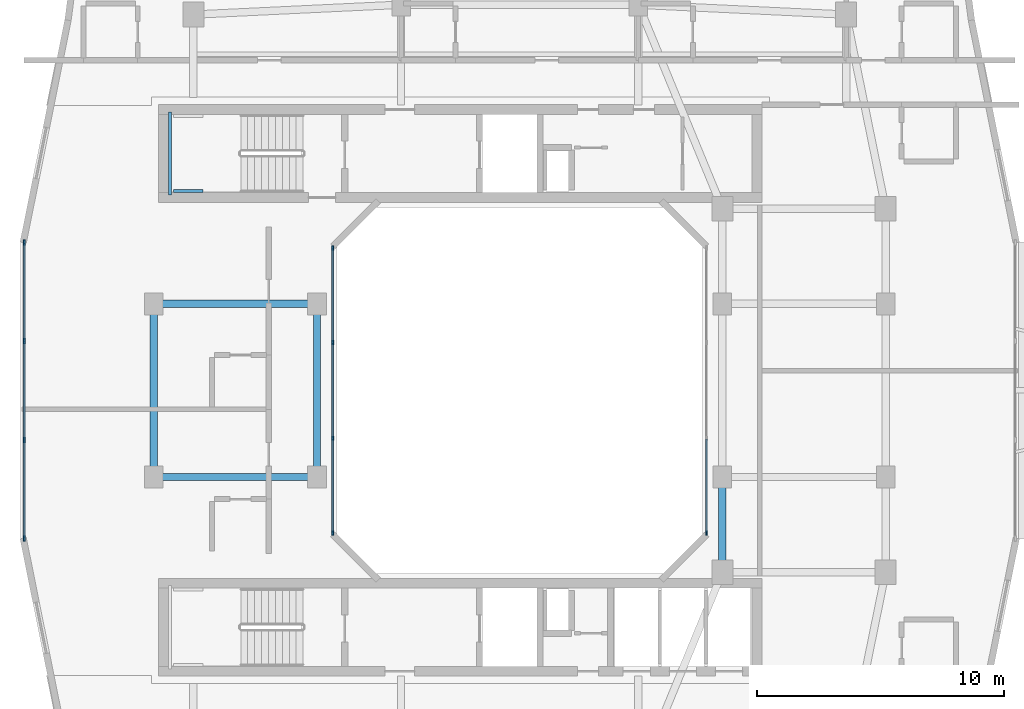
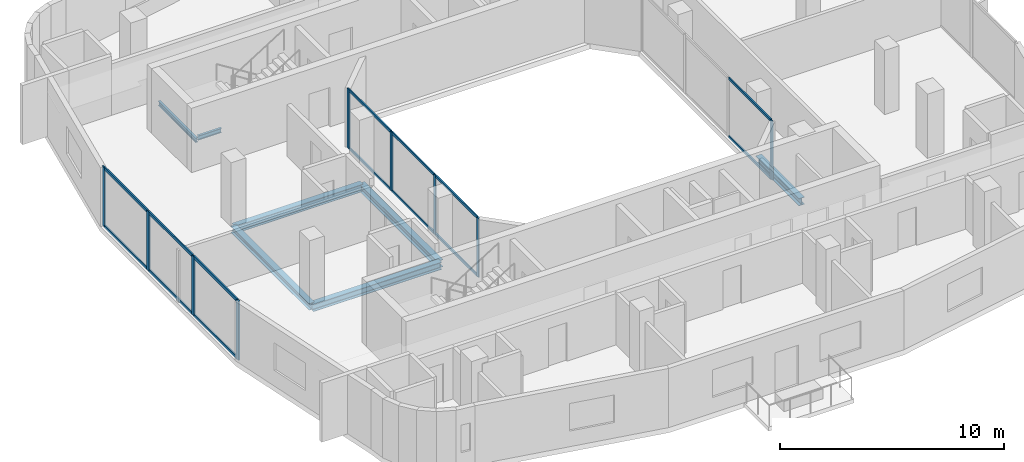
# One storey, part 2 of 13: 23 members, 7 beams, 3 elements without a shape of their own.
"""IFC4 building model written with IfcOpenShell, lengths in metres."""

from ifc_helpers import new_model, si_unit, derived_unit, direction, frame, origin, origin_2d, place, context, subcontext, project, spatial, rectangle, i_section, extrude, material, layer, layer_set, material_profile, profile_set, type_object, element, aggregate, save


model = new_model("IFC4")

# Units and contexts
model_context = context("Model", 3, precision=1e-05, world=origin(), true_north=direction((0.0, 1.0)))
body_context = subcontext(model_context, "Body", "Model", "MODEL_VIEW")
ifc_project = project(units=[si_unit("LENGTHUNIT", "METRE"), si_unit("AREAUNIT", "SQUARE_METRE"), si_unit("VOLUMEUNIT", "CUBIC_METRE"), si_unit("PLANEANGLEUNIT", "RADIAN"), si_unit("MASSUNIT", "GRAM", prefix="KILO"), derived_unit("THERMALTRANSMITTANCEUNIT", [(si_unit("POWERUNIT", "WATT"), 1), (si_unit("LENGTHUNIT", "METRE"), -2), (si_unit("THERMODYNAMICTEMPERATUREUNIT", "KELVIN"), -1)])], contexts=[model_context])

# Site, building, storey
site_placement = place(None, origin())
site = spatial("IfcSite", under=ifc_project, at=site_placement, CompositionType="ELEMENT")
building_placement = place(site_placement, origin())
building = spatial("IfcBuilding", under=site, at=building_placement, Name="Kivonza Crest Hotel", CompositionType="ELEMENT")
storey_placement = place(building_placement, frame((0.0, 0.0, 155.5)))
storey = spatial("IfcBuildingStorey", under=building, at=storey_placement, Name="L42", CompositionType="ELEMENT", Elevation=155.5)

# Beams
ifc_material_1 = material(Name="Steel S355", Category="steel")
ifc_material_profile_1 = material_profile(ifc_material_1, i_section(OverallWidth=0.300048828125, OverallDepth=0.360107421875, WebThickness=0.012451171875, FlangeThickness=0.0224609375, FilletRadius=0.027099609375, at=origin_2d()), Name="HEB 360")
ifc_profile_set_1 = profile_set([ifc_material_profile_1], Name="Steel S355")
beam_type_1 = type_object("IfcBeamType", Name="BM-HEB360", PredefinedType="SPANDREL", material=ifc_profile_set_1)
beam_1_placement = place(storey_placement, frame((6.199951171875, 28.5, -0.4599609375), z_axis=(0.0, -1.0, 0.0), x_axis=(1.0, 0.0, 0.0)))
element("IfcBeam", 1, at=beam_1_placement, inside=storey, type_object=beam_type_1, Name="Tower T1 L42 perimeter spandrel W2-W1", PredefinedType="SPANDREL", context=body_context, shape_type="SweptSolid", body=[
    extrude(i_section(OverallWidth=0.300048828125, OverallDepth=0.360107421875, WebThickness=0.012451171875, FlangeThickness=0.0224609375, FilletRadius=0.027099609375, at=origin_2d()), origin(), (0.0, 0.0, 1.0), 7.0),
])
ifc_material_profile_2 = material_profile(ifc_material_1, i_section(OverallWidth=0.300048828125, OverallDepth=0.39990234375, WebThickness=0.013427734375, FlangeThickness=0.02392578125, FilletRadius=0.027099609375, at=origin_2d()), Name="HEB 400")
ifc_profile_set_2 = profile_set([ifc_material_profile_2], Name="Steel S355")
beam_type_2 = type_object("IfcBeamType", Name="BM-HEB400", PredefinedType="BEAM", material=ifc_profile_set_2)
for number, where, z_axis, x_axis, name in (
    (2, (6.199951171875, 21.5, -0.47998046875), (1.0, 0.0, 0.0), (0.0, 1.0, 0.0), "Tower T1 L42 primary girder W1-WL1"),
    (3, (6.199951171875, 28.5, -0.47998046875), (1.0, 0.0, 0.0), (0.0, 1.0, 0.0), "Tower T1 L42 primary girder W2-WL2"),
):
    element("IfcBeam", number, at=place(storey_placement, frame(where, z_axis=z_axis, x_axis=x_axis)), inside=storey, type_object=beam_type_2, Name=name, PredefinedType="BEAM", context=body_context, shape_type="SweptSolid", body=[
        extrude(i_section(OverallWidth=0.300048828125, OverallDepth=0.39990234375, WebThickness=0.013427734375, FlangeThickness=0.02392578125, FilletRadius=0.027099609375, at=origin_2d()), origin(), (0.0, 0.0, 1.0), 6.60009765625),
    ])
beam_2_placement = place(storey_placement, frame((12.800048828125, 21.5, -0.47998046875), z_axis=(0.0, 1.0, 0.0), x_axis=(-1.0, 0.0, 0.0)))
element("IfcBeam", 4, at=beam_2_placement, inside=storey, type_object=beam_type_2, Name="Tower T1 L42 primary girder WL1-WL2", PredefinedType="BEAM", context=body_context, shape_type="SweptSolid", body=[
    extrude(i_section(OverallWidth=0.300048828125, OverallDepth=0.39990234375, WebThickness=0.013427734375, FlangeThickness=0.02392578125, FilletRadius=0.027099609375, at=origin_2d()), origin(), (0.0, 0.0, 1.0), 7.0),
])
beam_3_placement = place(storey_placement, frame((29.199951171875, 17.64990234375, -0.47998046875), z_axis=(0.0, 1.0, 0.0), x_axis=(-1.0, 0.0, 0.0)))
element("IfcBeam", 5, at=beam_3_placement, inside=storey, type_object=beam_type_2, Name="Tower T1 L42 primary girder TSE-WR1", PredefinedType="BEAM", context=body_context, shape_type="SweptSolid", body=[
    extrude(i_section(OverallWidth=0.300048828125, OverallDepth=0.39990234375, WebThickness=0.013427734375, FlangeThickness=0.02392578125, FilletRadius=0.027099609375, at=origin_2d()), origin(), (0.0, 0.0, 1.0), 3.85009765625),
])
ifc_material_profile_3 = material_profile(ifc_material_1, i_section(OverallWidth=0.1201171875, OverallDepth=0.239990234375, WebThickness=0.006103515625, FlangeThickness=0.009765625, FilletRadius=0.014892578125, at=origin_2d()), Name="IPE 240")
ifc_profile_set_3 = profile_set([ifc_material_profile_3], Name="Steel S355")
beam_type_3 = type_object("IfcBeamType", Name="BM-LLDG-240", PredefinedType="BEAM", material=ifc_profile_set_3)
beam_4_placement = place(storey_placement, frame((6.860107421875, 32.89990234375, 1.429931640625), z_axis=(0.0, 1.0, 0.0), x_axis=(-1.0, 0.0, 0.0)))
element("IfcBeam", 6, at=beam_4_placement, inside=storey, type_object=beam_type_3, Name="Stair ST-T1-N L42 West landing corbel", PredefinedType="BEAM", context=body_context, shape_type="SweptSolid", body=[
    extrude(i_section(OverallWidth=0.1201171875, OverallDepth=0.239990234375, WebThickness=0.006103515625, FlangeThickness=0.009765625, FilletRadius=0.014892578125, at=origin_2d()), origin(), (0.0, 0.0, 1.0), 3.360107421875),
])
beam_5_placement = place(storey_placement, frame((6.989990234375, 33.06005859375, 1.429931640625), z_axis=(1.0, 0.0, 0.0), x_axis=(0.0, 1.0, 0.0)))
element("IfcBeam", 7, at=beam_5_placement, inside=storey, type_object=beam_type_3, Name="Stair ST-T1-N L42 South landing corbel", PredefinedType="BEAM", context=body_context, shape_type="SweptSolid", body=[
    extrude(i_section(OverallWidth=0.1201171875, OverallDepth=0.239990234375, WebThickness=0.006103515625, FlangeThickness=0.009765625, FilletRadius=0.014892578125, at=origin_2d()), origin(), (0.0, 0.0, 1.0), 1.2099609375),
])

# Curtain wall, member
ifc_material_2 = material(Name="Anodised bronze aluminium and low-E double glazing", Category="aluminium")
ifc_layer_1 = layer(ifc_material_2, 0.159912109375)
ifc_layer_set_1 = layer_set([ifc_layer_1], Name="Anodised bronze aluminium and low-E double glazing")
curtain_wall_type_1 = type_object("IfcCurtainWallType", Name="CW-SYS-5", PredefinedType="NOTDEFINED", material=ifc_layer_set_1)
curtain_wall_1_placement = place(storey_placement, origin())
curtain_wall_1 = element("IfcCurtainWall", 8, at=curtain_wall_1_placement, inside=storey, type_object=curtain_wall_type_1, Name="L42 unitised curtain wall CW-WELL-T1-L42-3", PredefinedType="NOTDEFINED")
ifc_material_3 = material(Name="Anodised bronze aluminium", Category="aluminium")
ifc_material_profile_4 = material_profile(ifc_material_3, rectangle(XDim=0.06494140625, YDim=0.179931640625, at=origin_2d()), Name="CW-M 65x180")
ifc_profile_set_4 = profile_set([ifc_material_profile_4], Name="Anodised bronze aluminium")
member_type_1 = type_object("IfcMemberType", Name="CW-MUL-65x180", PredefinedType="MULLION", material=ifc_profile_set_4)
member_1_placement = place(storey_placement, frame((28.56005859375, 19.232421875, 0.0), z_axis=(0.0, 0.0, 1.0), x_axis=(-1.0, 0.0, 0.0)))
member_1 = element("IfcMember", 9, at=member_1_placement, type_object=member_type_1, Name="CW-5 mullion 1", PredefinedType="MULLION", context=body_context, shape_type="SweptSolid", body=[
    extrude(rectangle(XDim=0.06494140625, YDim=0.179931640625, at=origin_2d()), origin(), (0.0, 0.0, 1.0), 3.219970703125),
])

# Curtain wall, members
curtain_wall_2_placement = place(storey_placement, origin())
curtain_wall_2 = element("IfcCurtainWall", 10, at=curtain_wall_2_placement, inside=storey, type_object=curtain_wall_type_1, Name="L42 unitised curtain wall CW-WELL-T1-L42-7", PredefinedType="NOTDEFINED")
member_2_placement = place(storey_placement, frame((13.43994140625, 30.767578125, 0.0), z_axis=(0.0, 0.0, 1.0), x_axis=(1.0, 0.0, 0.0)))
member_2 = element("IfcMember", 11, at=member_2_placement, type_object=member_type_1, Name="CW-5 mullion 1", PredefinedType="MULLION", context=body_context, shape_type="SweptSolid", body=[
    extrude(rectangle(XDim=0.06494140625, YDim=0.179931640625, at=origin_2d()), origin(), (0.0, 0.0, 1.0), 3.219970703125),
])
member_3_placement = place(storey_placement, frame((13.43994140625, 26.933349609375, 0.0), z_axis=(0.0, 0.0, 1.0), x_axis=(1.0, 0.0, 0.0)))
member_3 = element("IfcMember", 12, at=member_3_placement, type_object=member_type_1, Name="CW-5 mullion 2", PredefinedType="MULLION", context=body_context, shape_type="SweptSolid", body=[
    extrude(rectangle(XDim=0.06494140625, YDim=0.179931640625, at=origin_2d()), origin(), (0.0, 0.0, 1.0), 3.219970703125),
])
member_4_placement = place(storey_placement, frame((13.43994140625, 23.066650390625, 0.0), z_axis=(0.0, 0.0, 1.0), x_axis=(1.0, 0.0, 0.0)))
member_4 = element("IfcMember", 13, at=member_4_placement, type_object=member_type_1, Name="CW-5 mullion 3", PredefinedType="MULLION", context=body_context, shape_type="SweptSolid", body=[
    extrude(rectangle(XDim=0.06494140625, YDim=0.179931640625, at=origin_2d()), origin(), (0.0, 0.0, 1.0), 3.219970703125),
])
member_5_placement = place(storey_placement, frame((13.43994140625, 19.232421875, 0.0), z_axis=(0.0, 0.0, 1.0), x_axis=(1.0, 0.0, 0.0)))
member_5 = element("IfcMember", 14, at=member_5_placement, type_object=member_type_1, Name="CW-5 mullion 4", PredefinedType="MULLION", context=body_context, shape_type="SweptSolid", body=[
    extrude(rectangle(XDim=0.06494140625, YDim=0.179931640625, at=origin_2d()), origin(), (0.0, 0.0, 1.0), 3.219970703125),
])

ifc_layer_2 = layer(ifc_material_2, 0.179931640625)
ifc_layer_set_2 = layer_set([ifc_layer_2], Name="Anodised bronze aluminium and low-E double glazing")
curtain_wall_type_2 = type_object("IfcCurtainWallType", Name="CW-SYS-3", PredefinedType="NOTDEFINED", material=ifc_layer_set_2)
curtain_wall_3_placement = place(storey_placement, origin())
curtain_wall_3 = element("IfcCurtainWall", 15, at=curtain_wall_3_placement, inside=storey, type_object=curtain_wall_type_2, Name="L42 unitised curtain wall CW-T1-L42-35", PredefinedType="NOTDEFINED")
ifc_material_profile_5 = material_profile(ifc_material_3, rectangle(XDim=0.074951171875, YDim=0.219970703125, at=origin_2d()), Name="CW-M 75x220")
ifc_profile_set_5 = profile_set([ifc_material_profile_5], Name="Anodised bronze aluminium")
member_type_2 = type_object("IfcMemberType", Name="CW-MUL-75x220", PredefinedType="MULLION", material=ifc_profile_set_5)
member_6_placement = place(storey_placement, frame((0.9599609375, 30.982421875, 0.0), z_axis=(0.0, 0.0, 1.0), x_axis=(1.0, 0.0, 0.0)))
member_6 = element("IfcMember", 16, at=member_6_placement, type_object=member_type_2, Name="CW-3 mullion 1", PredefinedType="MULLION", context=body_context, shape_type="SweptSolid", body=[
    extrude(rectangle(XDim=0.074951171875, YDim=0.219970703125, at=origin_2d()), origin(), (0.0, 0.0, 1.0), 3.219970703125),
])
member_7_placement = place(storey_placement, frame((0.9599609375, 27.006591796875, 0.0), z_axis=(0.0, 0.0, 1.0), x_axis=(1.0, 0.0, 0.0)))
member_7 = element("IfcMember", 17, at=member_7_placement, type_object=member_type_2, Name="CW-3 mullion 2", PredefinedType="MULLION", context=body_context, shape_type="SweptSolid", body=[
    extrude(rectangle(XDim=0.074951171875, YDim=0.219970703125, at=origin_2d()), origin(), (0.0, 0.0, 1.0), 3.219970703125),
])
member_8_placement = place(storey_placement, frame((0.9599609375, 22.993408203125, 0.0), z_axis=(0.0, 0.0, 1.0), x_axis=(1.0, 0.0, 0.0)))
member_8 = element("IfcMember", 18, at=member_8_placement, type_object=member_type_2, Name="CW-3 mullion 3", PredefinedType="MULLION", context=body_context, shape_type="SweptSolid", body=[
    extrude(rectangle(XDim=0.074951171875, YDim=0.219970703125, at=origin_2d()), origin(), (0.0, 0.0, 1.0), 3.219970703125),
])
member_9_placement = place(storey_placement, frame((0.9599609375, 19.017578125, 0.0), z_axis=(0.0, 0.0, 1.0), x_axis=(1.0, 0.0, 0.0)))
member_9 = element("IfcMember", 19, at=member_9_placement, type_object=member_type_2, Name="CW-3 mullion 4", PredefinedType="MULLION", context=body_context, shape_type="SweptSolid", body=[
    extrude(rectangle(XDim=0.074951171875, YDim=0.219970703125, at=origin_2d()), origin(), (0.0, 0.0, 1.0), 3.219970703125),
])

# Member
ifc_material_profile_6 = material_profile(ifc_material_3, rectangle(XDim=0.06494140625, YDim=0.139892578125, at=origin_2d()), Name="CW-T 65x140")
ifc_profile_set_6 = profile_set([ifc_material_profile_6], Name="Anodised bronze aluminium")
member_type_3 = type_object("IfcMemberType", Name="CW-TRN-65x140", PredefinedType="USERDEFINED", material=ifc_profile_set_6)
member_10_placement = place(storey_placement, frame((28.56005859375, 19.264892578125, 0.032470703125), z_axis=(0.0, 1.0, 0.0), x_axis=(-1.0, 0.0, 0.0)))
member_10 = element("IfcMember", 20, at=member_10_placement, type_object=member_type_3, Name="CW-5 transom 1.1", ObjectType="TRANSOM", PredefinedType="USERDEFINED", context=body_context, shape_type="SweptSolid", body=[
    extrude(rectangle(XDim=0.06494140625, YDim=0.139892578125, at=origin_2d()), origin(), (0.0, 0.0, 1.0), 3.769287109375),
])

member_11_placement = place(storey_placement, frame((28.56005859375, 19.264892578125, 3.1875), z_axis=(0.0, 1.0, 0.0), x_axis=(-1.0, 0.0, 0.0)))
member_11 = element("IfcMember", 21, at=member_11_placement, type_object=member_type_3, Name="CW-5 transom 1.2", ObjectType="TRANSOM", PredefinedType="USERDEFINED", context=body_context, shape_type="SweptSolid", body=[
    extrude(rectangle(XDim=0.06494140625, YDim=0.139892578125, at=origin_2d()), origin(), (0.0, 0.0, 1.0), 3.769287109375),
])

aggregate(curtain_wall_1, [member_1, member_10, member_11])

member_12_placement = place(storey_placement, frame((13.43994140625, 30.735107421875, 0.032470703125), z_axis=(0.0, -1.0, 0.0), x_axis=(1.0, 0.0, 0.0)))
member_12 = element("IfcMember", 22, at=member_12_placement, type_object=member_type_3, Name="CW-5 transom 1.1", ObjectType="TRANSOM", PredefinedType="USERDEFINED", context=body_context, shape_type="SweptSolid", body=[
    extrude(rectangle(XDim=0.06494140625, YDim=0.139892578125, at=origin_2d()), origin(), (0.0, 0.0, 1.0), 3.769287109375),
])

member_13_placement = place(storey_placement, frame((13.43994140625, 30.735107421875, 3.1875), z_axis=(0.0, -1.0, 0.0), x_axis=(1.0, 0.0, 0.0)))
member_13 = element("IfcMember", 23, at=member_13_placement, type_object=member_type_3, Name="CW-5 transom 1.2", ObjectType="TRANSOM", PredefinedType="USERDEFINED", context=body_context, shape_type="SweptSolid", body=[
    extrude(rectangle(XDim=0.06494140625, YDim=0.139892578125, at=origin_2d()), origin(), (0.0, 0.0, 1.0), 3.769287109375),
])

member_14_placement = place(storey_placement, frame((13.43994140625, 26.90087890625, 0.032470703125), z_axis=(0.0, -1.0, 0.0), x_axis=(1.0, 0.0, 0.0)))
member_14 = element("IfcMember", 24, at=member_14_placement, type_object=member_type_3, Name="CW-5 transom 2.1", ObjectType="TRANSOM", PredefinedType="USERDEFINED", context=body_context, shape_type="SweptSolid", body=[
    extrude(rectangle(XDim=0.06494140625, YDim=0.139892578125, at=origin_2d()), origin(), (0.0, 0.0, 1.0), 3.8017578125),
])

member_15_placement = place(storey_placement, frame((13.43994140625, 26.90087890625, 3.1875), z_axis=(0.0, -1.0, 0.0), x_axis=(1.0, 0.0, 0.0)))
member_15 = element("IfcMember", 25, at=member_15_placement, type_object=member_type_3, Name="CW-5 transom 2.2", ObjectType="TRANSOM", PredefinedType="USERDEFINED", context=body_context, shape_type="SweptSolid", body=[
    extrude(rectangle(XDim=0.06494140625, YDim=0.139892578125, at=origin_2d()), origin(), (0.0, 0.0, 1.0), 3.8017578125),
])

member_16_placement = place(storey_placement, frame((13.43994140625, 23.0341796875, 0.032470703125), z_axis=(0.0, -1.0, 0.0), x_axis=(1.0, 0.0, 0.0)))
member_16 = element("IfcMember", 26, at=member_16_placement, type_object=member_type_3, Name="CW-5 transom 3.1", ObjectType="TRANSOM", PredefinedType="USERDEFINED", context=body_context, shape_type="SweptSolid", body=[
    extrude(rectangle(XDim=0.06494140625, YDim=0.139892578125, at=origin_2d()), origin(), (0.0, 0.0, 1.0), 3.769287109375),
])

member_17_placement = place(storey_placement, frame((13.43994140625, 23.0341796875, 3.1875), z_axis=(0.0, -1.0, 0.0), x_axis=(1.0, 0.0, 0.0)))
member_17 = element("IfcMember", 27, at=member_17_placement, type_object=member_type_3, Name="CW-5 transom 3.2", ObjectType="TRANSOM", PredefinedType="USERDEFINED", context=body_context, shape_type="SweptSolid", body=[
    extrude(rectangle(XDim=0.06494140625, YDim=0.139892578125, at=origin_2d()), origin(), (0.0, 0.0, 1.0), 3.769287109375),
])

aggregate(curtain_wall_2, [member_2, member_3, member_4, member_5, member_12, member_13, member_14, member_15, member_16, member_17])

ifc_material_profile_7 = material_profile(ifc_material_3, rectangle(XDim=0.074951171875, YDim=0.159912109375, at=origin_2d()), Name="CW-T 75x160")
ifc_profile_set_7 = profile_set([ifc_material_profile_7], Name="Anodised bronze aluminium")
member_type_4 = type_object("IfcMemberType", Name="CW-TRN-75x160", PredefinedType="USERDEFINED", material=ifc_profile_set_7)
member_18_placement = place(storey_placement, frame((0.9599609375, 30.945068359375, 0.03759765625), z_axis=(0.0, -1.0, 0.0), x_axis=(1.0, 0.0, 0.0)))
member_18 = element("IfcMember", 28, at=member_18_placement, type_object=member_type_4, Name="CW-3 transom 1.1", ObjectType="TRANSOM", PredefinedType="USERDEFINED", context=body_context, shape_type="SweptSolid", body=[
    extrude(rectangle(XDim=0.074951171875, YDim=0.159912109375, at=origin_2d()), origin(), (0.0, 0.0, 1.0), 3.90087890625),
])

member_19_placement = place(storey_placement, frame((0.9599609375, 30.945068359375, 3.1826171875), z_axis=(0.0, -1.0, 0.0), x_axis=(1.0, 0.0, 0.0)))
member_19 = element("IfcMember", 29, at=member_19_placement, type_object=member_type_4, Name="CW-3 transom 1.2", ObjectType="TRANSOM", PredefinedType="USERDEFINED", context=body_context, shape_type="SweptSolid", body=[
    extrude(rectangle(XDim=0.074951171875, YDim=0.159912109375, at=origin_2d()), origin(), (0.0, 0.0, 1.0), 3.90087890625),
])

member_20_placement = place(storey_placement, frame((0.9599609375, 26.96923828125, 0.03759765625), z_axis=(0.0, -1.0, 0.0), x_axis=(1.0, 0.0, 0.0)))
member_20 = element("IfcMember", 30, at=member_20_placement, type_object=member_type_4, Name="CW-3 transom 2.1", ObjectType="TRANSOM", PredefinedType="USERDEFINED", context=body_context, shape_type="SweptSolid", body=[
    extrude(rectangle(XDim=0.074951171875, YDim=0.159912109375, at=origin_2d()), origin(), (0.0, 0.0, 1.0), 3.9384765625),
])

member_21_placement = place(storey_placement, frame((0.9599609375, 26.96923828125, 3.1826171875), z_axis=(0.0, -1.0, 0.0), x_axis=(1.0, 0.0, 0.0)))
member_21 = element("IfcMember", 31, at=member_21_placement, type_object=member_type_4, Name="CW-3 transom 2.2", ObjectType="TRANSOM", PredefinedType="USERDEFINED", context=body_context, shape_type="SweptSolid", body=[
    extrude(rectangle(XDim=0.074951171875, YDim=0.159912109375, at=origin_2d()), origin(), (0.0, 0.0, 1.0), 3.9384765625),
])

member_22_placement = place(storey_placement, frame((0.9599609375, 22.955810546875, 0.03759765625), z_axis=(0.0, -1.0, 0.0), x_axis=(1.0, 0.0, 0.0)))
member_22 = element("IfcMember", 32, at=member_22_placement, type_object=member_type_4, Name="CW-3 transom 3.1", ObjectType="TRANSOM", PredefinedType="USERDEFINED", context=body_context, shape_type="SweptSolid", body=[
    extrude(rectangle(XDim=0.074951171875, YDim=0.159912109375, at=origin_2d()), origin(), (0.0, 0.0, 1.0), 3.90087890625),
])

member_23_placement = place(storey_placement, frame((0.9599609375, 22.955810546875, 3.1826171875), z_axis=(0.0, -1.0, 0.0), x_axis=(1.0, 0.0, 0.0)))
member_23 = element("IfcMember", 33, at=member_23_placement, type_object=member_type_4, Name="CW-3 transom 3.2", ObjectType="TRANSOM", PredefinedType="USERDEFINED", context=body_context, shape_type="SweptSolid", body=[
    extrude(rectangle(XDim=0.074951171875, YDim=0.159912109375, at=origin_2d()), origin(), (0.0, 0.0, 1.0), 3.90087890625),
])

aggregate(curtain_wall_3, [member_6, member_7, member_8, member_9, member_18, member_19, member_20, member_21, member_22, member_23])

save(model, "model.ifc")
